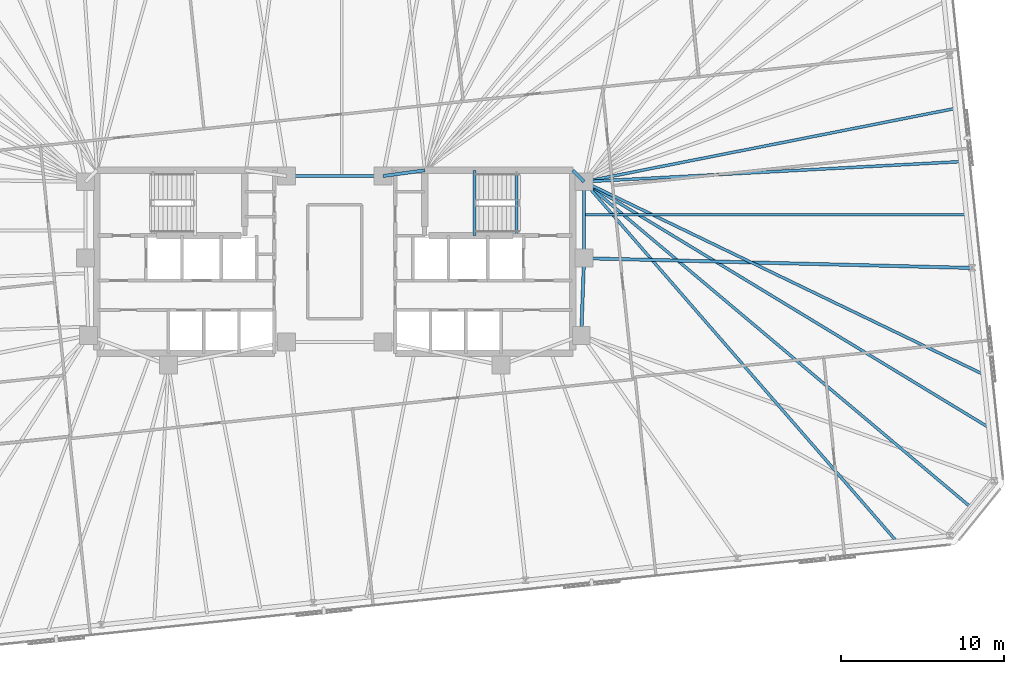
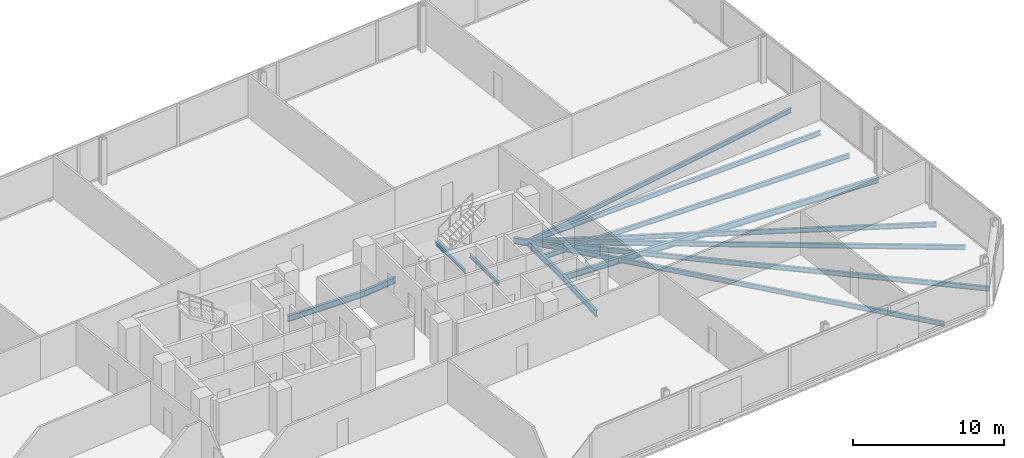
# One storey, part 8 of 18: 15 beams.
"""IFC4 building model written with IfcOpenShell, lengths in metres."""

import ifcopenshell
import ifcopenshell.guid

model = None  # the IFC model being written
_history = None  # IfcOwnerHistory: only IFC2X3 demands one
_inside = {}  # id of a spatial element -> (the spatial element, [elements in it])
_under = {}  # id of a project, library or spatial element -> (it, [spatial elements below it])
_declared = {}  # id of a project -> (the project, [libraries it declares])
_typed = {}  # id of a type object -> (the type object, [elements of that type])
_made_of = {}  # id of a material, layer set ... -> (it, [elements and type objects made of it])


def new_model(schema):
    """Start an empty IFC model of exactly this schema.

    Asked for "IFC4X3", IfcOpenShell would pick the latest addendum, in which some entities
    have other attributes; the version numbers below select the first issue.
    IFC2X3 requires an IfcOwnerHistory on every rooted entity: one is made here for all.
    """
    global model, _history
    if schema == "IFC4X3":
        model = ifcopenshell.file(schema_version=(4, 3, 0, 0))
    else:
        model = ifcopenshell.file(schema=schema)
    _inside.clear()
    _under.clear()
    _declared.clear()
    _typed.clear()
    _made_of.clear()
    _history = None
    if model.schema == "IFC2X3":
        org = make("IfcOrganization", Name="unknown")
        user = make(
            "IfcPersonAndOrganization",
            ThePerson=make("IfcPerson", FamilyName="unknown"),
            TheOrganization=org,
        )
        app = make(
            "IfcApplication",
            ApplicationDeveloper=org,
            Version="unknown",
            ApplicationFullName="unknown",
            ApplicationIdentifier="unknown",
        )
        _history = make(
            "IfcOwnerHistory",
            OwningUser=user,
            OwningApplication=app,
            ChangeAction="ADDED",
            CreationDate=0,
        )
    return model


def make(cls, **values):
    """One entity of the class cls with the attributes given. An attribute that is None is left unset."""
    return model.create_entity(
        cls, **{name: value for name, value in values.items() if value is not None}
    )


def rooted(cls, **values):
    """An entity with a GlobalId (a new one), such as an element, a storey or a relation."""
    return make(cls, GlobalId=ifcopenshell.guid.new(), OwnerHistory=_history, **values)


def si_unit(unit_type, name, prefix=None):
    """IfcSIUnit, for example si_unit("LENGTHUNIT", "METRE", prefix="MILLI")."""
    return make("IfcSIUnit", UnitType=unit_type, Prefix=prefix, Name=name)


def assignment(units):
    """IfcUnitAssignment: the units of a project."""
    return None if units is None else make("IfcUnitAssignment", Units=units)


def point(xyz):
    """IfcCartesianPoint."""
    return None if xyz is None else make("IfcCartesianPoint", Coordinates=xyz)


def direction(xyz):
    """IfcDirection."""
    return None if xyz is None else make("IfcDirection", DirectionRatios=xyz)


def frame(location, z_axis=None, x_axis=None):
    """IfcAxis2Placement3D, a coordinate frame: its origin and axes. An axis left out is left unset."""
    return make(
        "IfcAxis2Placement3D",
        Location=point(location),
        Axis=direction(z_axis),
        RefDirection=direction(x_axis),
    )


def frame_2d(location, x_axis=None):
    """IfcAxis2Placement2D, a coordinate frame in the plane: its origin and x axis."""
    return make(
        "IfcAxis2Placement2D", Location=point(location), RefDirection=direction(x_axis)
    )


def origin():
    """The frame at (0, 0, 0) with its axes left unset."""
    return frame((0.0, 0.0, 0.0))


def origin_2d():
    """The frame at (0, 0) in the plane with its x axis left unset."""
    return frame_2d((0.0, 0.0))


def place(relative_to, where):
    """IfcLocalPlacement: puts the frame where relative to a parent placement (None: the world)."""
    return make(
        "IfcLocalPlacement", PlacementRelTo=relative_to, RelativePlacement=where
    )


def context(
    kind, dimensions, precision=None, world=None, true_north=None, identifier=None
):
    """IfcGeometricRepresentationContext, for example the 3D "Model" context."""
    return make(
        "IfcGeometricRepresentationContext",
        ContextIdentifier=identifier,
        ContextType=kind,
        CoordinateSpaceDimension=dimensions,
        Precision=precision,
        WorldCoordinateSystem=world,
        TrueNorth=true_north,
    )


def subcontext(parent, identifier, kind, view, scale=None):
    """IfcGeometricRepresentationSubContext, for example "Body" below "Model"."""
    return make(
        "IfcGeometricRepresentationSubContext",
        ContextIdentifier=identifier,
        ContextType=kind,
        ParentContext=parent,
        TargetScale=scale,
        TargetView=view,
    )


def project(units=None, contexts=None):
    """IfcProject with its units and contexts."""
    return rooted(
        "IfcProject",
        Name="project",
        RepresentationContexts=contexts,
        UnitsInContext=assignment(units),
    )


def spatial(cls, under=None, at=None, **own):
    """A site, building, storey or space (cls), placed at a placement, below another one or the project."""
    s = rooted(cls, ObjectPlacement=at, **own)
    if under is not None:
        _under.setdefault(under.id(), (under, []))[1].append(s)
    return s


def profile(cls, at=None, kind="AREA", **sizes):
    """A parametric profile (cls). Its sizes go by their IFC names, for example OverallWidth=200.0."""
    return make(cls, ProfileType=kind, Position=at, **sizes)


def i_section(**sizes):
    """IfcIShapeProfileDef."""
    return profile("IfcIShapeProfileDef", **sizes)


def extrude(swept, where, along, depth):
    """IfcExtrudedAreaSolid: the profile swept, set in the frame where, extruded along a direction by depth."""
    return make(
        "IfcExtrudedAreaSolid",
        SweptArea=swept,
        Position=where,
        ExtrudedDirection=direction(along),
        Depth=depth,
    )


def shape(context_of_items, identifier, shape_type, items):
    """IfcShapeRepresentation: the items that make up one representation, for example the "Body"."""
    return make(
        "IfcShapeRepresentation",
        ContextOfItems=context_of_items,
        RepresentationIdentifier=identifier,
        RepresentationType=shape_type,
        Items=items,
    )


def material(Name=None, Category=None):
    """IfcMaterial."""
    return make("IfcMaterial", Name=Name, Category=Category)


def material_profile(
    of_material, cross_section, Name=None, Category=None, Priority=None
):
    """IfcMaterialProfile: a cross section and its material."""
    return make(
        "IfcMaterialProfile",
        Name=Name,
        Material=of_material,
        Profile=cross_section,
        Priority=Priority,
        Category=Category,
    )


def profile_set(profiles, Name=None, composite=None):
    """IfcMaterialProfileSet."""
    return make(
        "IfcMaterialProfileSet",
        Name=Name,
        MaterialProfiles=profiles,
        CompositeProfile=composite,
    )


def made_of(thing, what):
    """Note that an element or type object is made of a material, layer set ...; save() writes the relation."""
    if what is not None:
        _made_of.setdefault(what.id(), (what, []))[1].append(thing)
    return thing


def type_object(cls, material=None, **own):
    """A type object (cls), such as IfcWallType, which elements share."""
    return made_of(rooted(cls, **own), material)


def element(
    cls,
    number,
    at=None,
    inside=None,
    cuts=None,
    type_object=None,
    material=None,
    context=None,
    identifier="Body",
    shape_type=None,
    held_by="IfcProductDefinitionShape",
    body=None,
    shapes=None,
    **own,
):
    """One element of the class cls, such as IfcWall. Its Tag is "e" and its number.

    at: its placement. inside: the storey or other place that contains it. cuts: it is an
    opening in that element (IfcRelVoidsElement). A single representation is given by context,
    identifier, shape_type and body (its items); several are given by shapes. held_by: the class
    of the entity that holds the representations. save() writes the other relations.
    """
    e = rooted(cls, Tag="e%d" % number, ObjectPlacement=at, **own)
    if body is not None:
        shapes = [shape(context, identifier, shape_type, body)]
    if shapes is not None:
        e.Representation = make(held_by, Representations=shapes)
    if inside is not None:
        _inside.setdefault(inside.id(), (inside, []))[1].append(e)
    if cuts is not None:
        rooted(
            "IfcRelVoidsElement", RelatingBuildingElement=cuts, RelatedOpeningElement=e
        )
    if type_object is not None:
        _typed.setdefault(type_object.id(), (type_object, []))[1].append(e)
    return made_of(e, material)


def aggregate(whole, parts):
    """IfcRelAggregates: a whole, such as a stair, and the parts it consists of."""
    return rooted("IfcRelAggregates", RelatingObject=whole, RelatedObjects=parts)


def save(model, path):
    """Write the relations noted so far, then the file.

    IfcRelAggregates (storeys below a building ...), IfcRelContainedInSpatialStructure (elements
    in a storey), IfcRelDefinesByType, IfcRelAssociatesMaterial and IfcRelDeclares: one each for
    every whole, place, type object, material and project.
    """
    for whole, parts in _under.values():
        aggregate(whole, parts)
    for where, things in _inside.values():
        rooted(
            "IfcRelContainedInSpatialStructure",
            RelatedElements=things,
            RelatingStructure=where,
        )
    for kind, things in _typed.values():
        rooted("IfcRelDefinesByType", RelatedObjects=things, RelatingType=kind)
    for what, things in _made_of.values():
        rooted("IfcRelAssociatesMaterial", RelatedObjects=things, RelatingMaterial=what)
    for by, libraries in _declared.values():
        rooted("IfcRelDeclares", RelatingContext=by, RelatedDefinitions=libraries)
    model.write(path)


model = new_model("IFC4")

# Units and contexts
model_context = context("Model", 3, precision=1e-05, world=origin(), true_north=direction((0.0, 1.0)))
body_context = subcontext(model_context, "Body", "Model", "MODEL_VIEW")
ifc_project = project(units=[si_unit("LENGTHUNIT", "METRE"), si_unit("AREAUNIT", "SQUARE_METRE"), si_unit("VOLUMEUNIT", "CUBIC_METRE"), si_unit("PLANEANGLEUNIT", "RADIAN"), si_unit("MASSUNIT", "GRAM", prefix="KILO")], contexts=[model_context])

# Site, building, storey
site_placement = place(None, origin())
site = spatial("IfcSite", under=ifc_project, at=site_placement, CompositionType="ELEMENT")
building_placement = place(site_placement, origin())
building = spatial("IfcBuilding", under=site, at=building_placement, Name="Menara Jurai Vektor", CompositionType="ELEMENT")
storey_placement = place(building_placement, frame((0.0, 0.0, 117.0)))
storey = spatial("IfcBuildingStorey", under=building, at=storey_placement, Name="L29", CompositionType="ELEMENT", Elevation=117.0)

# Beams
ifc_material = material(Name="Steel S355", Category="steel")
ifc_material_profile_1 = material_profile(ifc_material, i_section(OverallWidth=0.199951171875, OverallDepth=0.5, WebThickness=0.011962890625, FlangeThickness=0.02001953125, at=origin_2d()), Name="PG 500x200x96")
ifc_profile_set_1 = profile_set([ifc_material_profile_1], Name="Steel S355")
beam_type_1 = type_object("IfcBeamType", Name="STR-BM-500", PredefinedType="BEAM", material=ifc_profile_set_1)
beam_1_placement = place(storey_placement, frame((2.949951171875, 5.25, -0.47509765625), z_axis=(0.990706818608, 0.136014703483, 0.0), x_axis=(-0.136014703483, 0.990706818608, 0.0)))
element("IfcBeam", 1, at=beam_1_placement, inside=storey, type_object=beam_type_1, Name="Core Ring Header Girder L29-CHE-N1", PredefinedType="BEAM", context=body_context, shape_type="SweptSolid", body=[
    extrude(i_section(OverallWidth=0.199951171875, OverallDepth=0.5, WebThickness=0.011962890625, FlangeThickness=0.02001953125, at=origin_2d()), origin(), (0.0, 0.0, 1.0), 2.573974609375),
])
beam_2_placement = place(storey_placement, frame((14.56005859375, 5.60009765625, -0.47509765625), z_axis=(0.701871936926, -0.712303154672, 0.0), x_axis=(0.712303154672, 0.701871936926, 0.0)))
element("IfcBeam", 2, at=beam_2_placement, inside=storey, type_object=beam_type_1, Name="Core Ring Header Girder L29-CHE-N2", PredefinedType="BEAM", context=body_context, shape_type="SweptSolid", body=[
    extrude(i_section(OverallWidth=0.199951171875, OverallDepth=0.5, WebThickness=0.011962890625, FlangeThickness=0.02001953125, at=origin_2d()), origin(), (0.0, 0.0, 1.0), 0.98291015625),
])
beam_3_placement = place(storey_placement, frame((15.25, 0.219970703125, -0.47509765625), z_axis=(0.0, 1.0, 0.0), x_axis=(-1.0, 0.0, 0.0)))
element("IfcBeam", 3, at=beam_3_placement, inside=storey, type_object=beam_type_1, Name="Core Ring Header Girder L29-CHE-E1", PredefinedType="BEAM", context=body_context, shape_type="SweptSolid", body=[
    extrude(i_section(OverallWidth=0.199951171875, OverallDepth=0.5, WebThickness=0.011962890625, FlangeThickness=0.02001953125, at=origin_2d()), origin(), (0.0, 0.0, 1.0), 4.679931640625),
])
beam_4_placement = place(storey_placement, frame((15.080078125, -4.5, -0.47509765625), z_axis=(0.035977314146, 0.999352606874, 0.0), x_axis=(-0.999352606874, 0.035977314146, 0.0)))
element("IfcBeam", 4, at=beam_4_placement, inside=storey, type_object=beam_type_1, Name="Core Ring Header Girder L29-CHE-E2", PredefinedType="BEAM", context=body_context, shape_type="SweptSolid", body=[
    extrude(i_section(OverallWidth=0.199951171875, OverallDepth=0.5, WebThickness=0.011962890625, FlangeThickness=0.02001953125, at=origin_2d()), origin(), (0.0, 0.0, 1.0), 4.72314453125),
])
beam_5_placement = place(storey_placement, frame((-2.949951171875, 5.25, -0.47509765625), z_axis=(1.0, 0.0, 0.0), x_axis=(0.0, 1.0, 0.0)))
element("IfcBeam", 5, at=beam_5_placement, inside=storey, type_object=beam_type_1, Name="Core Ring Header Girder L29-CC-2", PredefinedType="BEAM", context=body_context, shape_type="SweptSolid", body=[
    extrude(i_section(OverallWidth=0.199951171875, OverallDepth=0.5, WebThickness=0.011962890625, FlangeThickness=0.02001953125, at=origin_2d()), origin(), (0.0, 0.0, 1.0), 5.89990234375),
])
beam_6_placement = place(storey_placement, frame((38.98828125, -0.375, -0.47509765625), z_axis=(-0.999686051749, 0.02505589629, 0.0), x_axis=(-0.02505589629, -0.999686051749, 0.0)))
element("IfcBeam", 6, at=beam_6_placement, inside=storey, type_object=beam_type_1, Name="Radial Floor Girder L29-E2", PredefinedType="BEAM", context=body_context, shape_type="SweptSolid", body=[
    extrude(i_section(OverallWidth=0.199951171875, OverallDepth=0.5, WebThickness=0.011962890625, FlangeThickness=0.02001953125, at=origin_2d()), origin(), (0.0, 0.0, 1.0), 23.745849609375),
])
ifc_material_profile_2 = material_profile(ifc_material, i_section(OverallWidth=0.175048828125, OverallDepth=0.3798828125, WebThickness=0.010009765625, FlangeThickness=0.014892578125, at=origin_2d()), Name="PG 380x175x58")
ifc_profile_set_2 = profile_set([ifc_material_profile_2], Name="Steel S355")
beam_type_2 = type_object("IfcBeamType", Name="STR-JS-380", PredefinedType="JOIST", material=ifc_profile_set_2)
beam_7_placement = place(storey_placement, frame((34.376953125, -17.106201171875, -0.4150390625), z_axis=(-0.656007047389, 0.754754763996, 0.0), x_axis=(-0.754754763996, -0.656007047389, 0.0)))
element("IfcBeam", 7, at=beam_7_placement, inside=storey, type_object=beam_type_2, Name="Radial Secondary Floor Joist L29-JS09", PredefinedType="JOIST", context=body_context, shape_type="SweptSolid", body=[
    extrude(i_section(OverallWidth=0.175048828125, OverallDepth=0.3798828125, WebThickness=0.010009765625, FlangeThickness=0.014892578125, at=origin_2d()), origin(), (0.0, 0.0, 1.0), 29.15673828125),
])
beam_8_placement = place(storey_placement, frame((38.989013671875, -15.076904296875, -0.4150390625), z_axis=(-0.765132553444, 0.643872794627, 0.0), x_axis=(-0.643872794627, -0.765132553444, 0.0)))
element("IfcBeam", 8, at=beam_8_placement, inside=storey, type_object=beam_type_2, Name="Radial Secondary Floor Joist L29-JS10", PredefinedType="JOIST", context=body_context, shape_type="SweptSolid", body=[
    extrude(i_section(OverallWidth=0.175048828125, OverallDepth=0.3798828125, WebThickness=0.010009765625, FlangeThickness=0.014892578125, at=origin_2d()), origin(), (0.0, 0.0, 1.0), 31.026123046875),
])
beam_9_placement = place(storey_placement, frame((40.01416015625, -10.13525390625, -0.4150390625), z_axis=(-0.854790986557, 0.518972416706, 0.0), x_axis=(-0.518972416706, -0.854790986557, 0.0)))
element("IfcBeam", 9, at=beam_9_placement, inside=storey, type_object=beam_type_2, Name="Radial Secondary Floor Joist L29-JS11", PredefinedType="JOIST", context=body_context, shape_type="SweptSolid", body=[
    extrude(i_section(OverallWidth=0.175048828125, OverallDepth=0.3798828125, WebThickness=0.010009765625, FlangeThickness=0.014892578125, at=origin_2d()), origin(), (0.0, 0.0, 1.0), 28.970947265625),
])
beam_10_placement = place(storey_placement, frame((39.672119140625, -6.8818359375, -0.4150390625), z_axis=(-0.90067072624, 0.434502293312, 0.0), x_axis=(-0.434502293312, -0.90067072624, 0.0)))
element("IfcBeam", 10, at=beam_10_placement, inside=storey, type_object=beam_type_2, Name="Radial Secondary Floor Joist L29-JS12", PredefinedType="JOIST", context=body_context, shape_type="SweptSolid", body=[
    extrude(i_section(OverallWidth=0.175048828125, OverallDepth=0.3798828125, WebThickness=0.010009765625, FlangeThickness=0.014892578125, at=origin_2d()), origin(), (0.0, 0.0, 1.0), 27.115478515625),
])
beam_11_placement = place(storey_placement, frame((38.646484375, 2.87841796875, -0.4150390625), z_axis=(-1.0, 0.0, 0.0), x_axis=(0.0, -1.0, 0.0)))
element("IfcBeam", 11, at=beam_11_placement, inside=storey, type_object=beam_type_2, Name="Radial Secondary Floor Joist L29-JS13", PredefinedType="JOIST", context=body_context, shape_type="SweptSolid", body=[
    extrude(i_section(OverallWidth=0.175048828125, OverallDepth=0.3798828125, WebThickness=0.010009765625, FlangeThickness=0.014892578125, at=origin_2d()), origin(), (0.0, 0.0, 1.0), 23.396484375),
])
beam_12_placement = place(storey_placement, frame((38.304443359375, 6.131591796875, -0.4150390625), z_axis=(-0.998575919005, -0.053349170414, 0.0), x_axis=(0.053349170414, -0.998575919005, 0.0)))
element("IfcBeam", 12, at=beam_12_placement, inside=storey, type_object=beam_type_2, Name="Radial Secondary Floor Joist L29-JS14", PredefinedType="JOIST", context=body_context, shape_type="SweptSolid", body=[
    extrude(i_section(OverallWidth=0.175048828125, OverallDepth=0.3798828125, WebThickness=0.010009765625, FlangeThickness=0.014892578125, at=origin_2d()), origin(), (0.0, 0.0, 1.0), 23.08740234375),
])
beam_13_placement = place(storey_placement, frame((37.96240234375, 9.385009765625, -0.4150390625), z_axis=(-0.981054359007, -0.193732662897, 0.0), x_axis=(0.193732662897, -0.981054359007, 0.0)))
element("IfcBeam", 13, at=beam_13_placement, inside=storey, type_object=beam_type_2, Name="Radial Secondary Floor Joist L29-JS15", PredefinedType="JOIST", context=body_context, shape_type="SweptSolid", body=[
    extrude(i_section(OverallWidth=0.175048828125, OverallDepth=0.3798828125, WebThickness=0.010009765625, FlangeThickness=0.014892578125, at=origin_2d()), origin(), (0.0, 0.0, 1.0), 23.151123046875),
])
ifc_material_profile_3 = material_profile(ifc_material, i_section(OverallWidth=0.1650390625, OverallDepth=0.302978515625, WebThickness=0.006103515625, FlangeThickness=0.010009765625, FilletRadius=0.009033203125, at=origin_2d()), Name="UKB 305x165x40")
ifc_profile_set_3 = profile_set([ifc_material_profile_3], Name="Steel S355")
beam_type_3 = type_object("IfcBeamType", Name="STR-LN-305", PredefinedType="LINTEL", material=ifc_profile_set_3)
beam_14_placement = place(storey_placement, frame((11.1201171875, 1.60009765625, -0.37646484375), z_axis=(0.0, 1.0, 0.0), x_axis=(-1.0, 0.0, 0.0)))
element("IfcBeam", 14, at=beam_14_placement, inside=storey, type_object=beam_type_3, Name="Stair Well Floor Trimmer ST2 L29", PredefinedType="LINTEL", context=body_context, shape_type="SweptSolid", body=[
    extrude(i_section(OverallWidth=0.1650390625, OverallDepth=0.302978515625, WebThickness=0.006103515625, FlangeThickness=0.010009765625, FilletRadius=0.009033203125, at=origin_2d()), origin(), (0.0, 0.0, 1.0), 3.81982421875),
])
beam_15_placement = place(storey_placement, frame((8.550048828125, 1.60009765625, 1.49853515625), z_axis=(0.0, 1.0, 0.0), x_axis=(-1.0, 0.0, 0.0)))
element("IfcBeam", 15, at=beam_15_placement, inside=storey, type_object=beam_type_3, Name="Stair Half-Landing Nosing Trimmer ST2-1 L29", PredefinedType="LINTEL", context=body_context, shape_type="SweptSolid", body=[
    extrude(i_section(OverallWidth=0.1650390625, OverallDepth=0.302978515625, WebThickness=0.006103515625, FlangeThickness=0.010009765625, FilletRadius=0.009033203125, at=origin_2d()), origin(), (0.0, 0.0, 1.0), 4.0),
])

save(model, "model.ifc")
